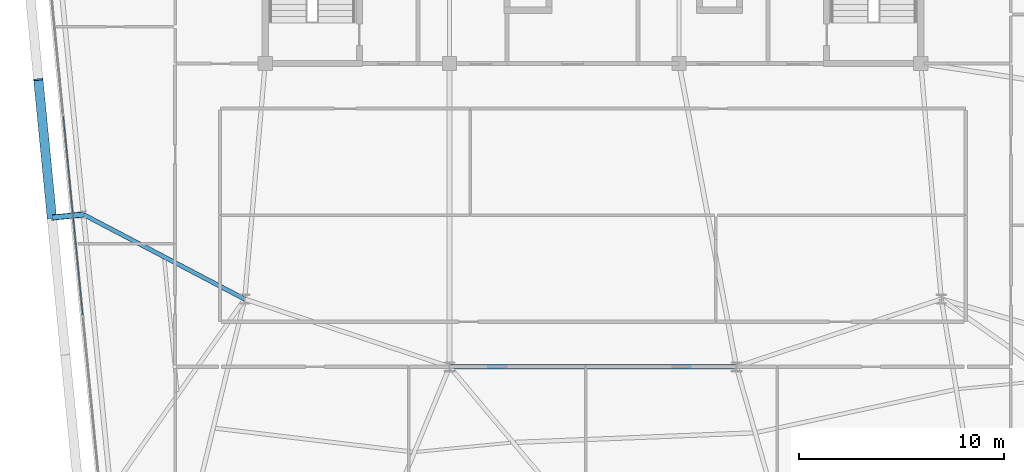
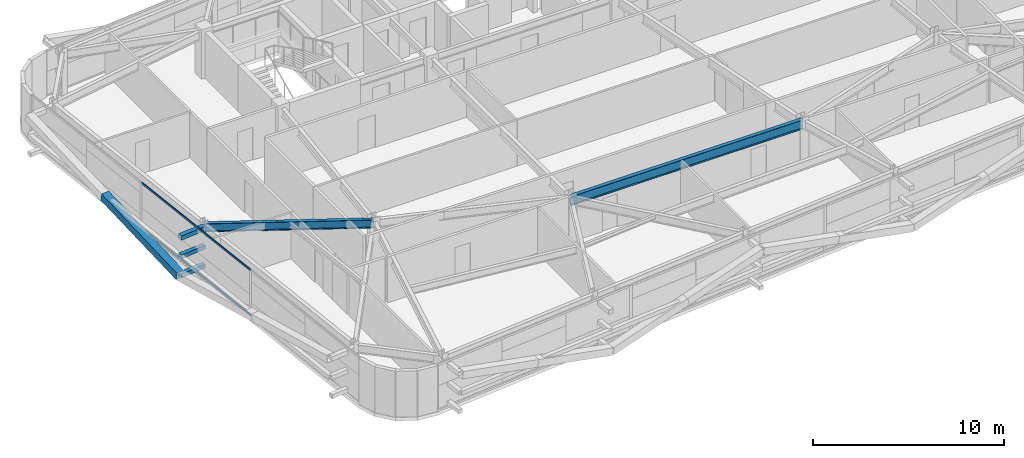
# One storey, part 12 of 47: 6 members, 2 beams, 1 element without a shape of its own.
"""IFC4 building model written with IfcOpenShell, lengths in metres."""

from ifc_helpers import new_model, si_unit, direction, frame, origin, origin_2d, place, context, subcontext, project, spatial, hollow_rectangle, i_section, extrude, source, transform, mapped, material, layer, layer_set, material_profile, profile_set, type_object, element, aggregate, save


model = new_model("IFC4")

# Units and contexts
model_context = context("Model", 3, precision=1e-05, world=origin(), true_north=direction((0.0, 1.0)))
body_context = subcontext(model_context, "Body", "Model", "MODEL_VIEW")
ifc_project = project(units=[si_unit("LENGTHUNIT", "METRE"), si_unit("AREAUNIT", "SQUARE_METRE"), si_unit("VOLUMEUNIT", "CUBIC_METRE"), si_unit("PLANEANGLEUNIT", "RADIAN"), si_unit("MASSUNIT", "GRAM", prefix="KILO")], contexts=[model_context])

# Site, building, storey
site_placement = place(None, origin())
site = spatial("IfcSite", under=ifc_project, at=site_placement, CompositionType="ELEMENT")
building_placement = place(site_placement, origin())
building = spatial("IfcBuilding", under=site, at=building_placement, Name="Taldren Reach Tower", CompositionType="ELEMENT")
storey_placement = place(building_placement, frame((0.0, 0.0, 90.300048828125)))
storey = spatial("IfcBuildingStorey", under=building, at=storey_placement, Name="L27", CompositionType="ELEMENT", Elevation=90.300048828125)

# Beams
ifc_material_1 = material(Name="Steel Gr 350 (350PLUS)", Category="steel")
ifc_material_profile_1 = material_profile(ifc_material_1, i_section(OverallWidth=0.22802734375, OverallDepth=0.60205078125, WebThickness=0.010498046875, FlangeThickness=0.014892578125, at=origin_2d()), Name="610UB101")
ifc_profile_set_1 = profile_set([ifc_material_profile_1], Name="Steel Gr 350 (350PLUS)")
beam_type_1 = type_object("IfcBeamType", Name="BM-UB610B", PredefinedType="BEAM", material=ifc_profile_set_1)
shared_shape_1 = source(origin(), body_context, "Body", "SweptSolid", [
    extrude(i_section(OverallWidth=0.22802734375, OverallDepth=0.60205078125, WebThickness=0.010498046875, FlangeThickness=0.014892578125, at=origin_2d()), origin(), (0.0, 0.0, 1.0), 14.0),
])
beam_1_placement = place(storey_placement, frame((28.0, 9.199951171875, 2.62890625), z_axis=(1.0, 0.0, 0.0), x_axis=(0.0, 1.0, 0.0)))
element("IfcBeam", 1, at=beam_1_placement, inside=storey, type_object=beam_type_1, Name="Core-spine girder L27-SP11", PredefinedType="BEAM", context=body_context, shape_type="MappedRepresentation", body=[
    mapped(shared_shape_1, transform((0.0, 0.0, 0.0), scale=1.0)),
])
ifc_material_profile_2 = material_profile(ifc_material_1, i_section(OverallWidth=0.208984375, OverallDepth=0.532958984375, WebThickness=0.01025390625, FlangeThickness=0.015625, at=origin_2d()), Name="530UB92.4")
ifc_profile_set_2 = profile_set([ifc_material_profile_2], Name="Steel Gr 350 (350PLUS)")
beam_type_2 = type_object("IfcBeamType", Name="BM-UB530A", PredefinedType="BEAM", material=ifc_profile_set_2)
shared_shape_2 = source(origin(), body_context, "Body", "SweptSolid", [
    extrude(i_section(OverallWidth=0.208984375, OverallDepth=0.532958984375, WebThickness=0.01025390625, FlangeThickness=0.015625, at=origin_2d()), origin(), (0.0, 0.0, 1.0), 8.8876953125),
])
beam_2_placement = place(storey_placement, frame((18.0, 12.5, 2.663330078125), z_axis=(-0.885412881876, 0.464805366371, 0.0), x_axis=(-0.464805366371, -0.885412881876, 0.0)))
element("IfcBeam", 2, at=beam_2_placement, inside=storey, type_object=beam_type_2, Name="Primary floor girder B2-W2 L27", PredefinedType="BEAM", context=body_context, shape_type="MappedRepresentation", body=[
    mapped(shared_shape_2, transform((0.0, 0.0, 0.0), scale=1.0)),
])

# Members
ifc_material_2 = material(Name="Steel Gr 450 (C450L0)", Category="steel")
ifc_material_profile_3 = material_profile(ifc_material_2, hollow_rectangle(XDim=0.27490234375, YDim=0.27490234375, WallThickness=0.00927734375, at=origin_2d()), Name="275x275x9.3SHS")
ifc_profile_set_3 = profile_set([ifc_material_profile_3], Name="Steel Gr 450 (C450L0)")
member_type_1 = type_object("IfcMemberType", Name="MB-TIE273", PredefinedType="STRUT", material=ifc_profile_set_3)
shared_shape_3 = source(origin(), body_context, "Body", "SweptSolid", [
    extrude(hollow_rectangle(XDim=0.27490234375, YDim=0.27490234375, WallThickness=0.00927734375, at=origin_2d()), origin(), (0.0, 0.0, 1.0), 1.550048828125),
])
member_1_placement = place(storey_placement, frame((10.130615234375, 16.631103515625, 2.64990234375), z_axis=(-0.9952210252, -0.097647892962, 0.0), x_axis=(0.097647892962, -0.9952210252, 0.0)))
element("IfcMember", 3, at=member_1_placement, inside=storey, type_object=member_type_1, Name="Exoskeleton diaphragm tie strut B2-W2 L27", PredefinedType="STRUT", context=body_context, shape_type="MappedRepresentation", body=[
    mapped(shared_shape_3, transform((0.0, 0.0, 0.0), scale=1.0)),
])
ifc_material_3 = material(Name="Steel Gr 350 (C350L0)", Category="steel")
ifc_material_profile_4 = material_profile(ifc_material_3, hollow_rectangle(XDim=0.25, YDim=0.25, WallThickness=0.010009765625, at=origin_2d()), Name="250x250x10.0SHS")
ifc_profile_set_4 = profile_set([ifc_material_profile_4], Name="Steel Gr 350 (C350L0)")
member_type_2 = type_object("IfcMemberType", Name="MB-POST250", PredefinedType="POST", material=ifc_profile_set_4)
shared_shape_4 = source(origin(), body_context, "Body", "SweptSolid", [
    extrude(hollow_rectangle(XDim=0.25, YDim=0.25, WallThickness=0.010009765625, at=origin_2d()), origin(), (0.0, 0.0, 1.0), 1.550048828125),
])
for number, where, z_axis, x_axis, name in (
    (4, (10.130615234375, 16.631103515625, 0.219970703125), (-0.9952210252, -0.097647892962, 0.0), (0.097647892962, -0.9952210252, 0.0), "Exoskeleton base diaphragm tie strut B2-W2 L27"),
    (5, (10.130615234375, 16.631103515625, 1.43505859375), (-0.9952210252, -0.097647892962, 0.0), (0.097647892962, -0.9952210252, 0.0), "Exoskeleton mid-tier diaphragm tie B2-W2 L27"),
):
    element("IfcMember", number, at=place(storey_placement, frame(where, z_axis=z_axis, x_axis=x_axis)), inside=storey, type_object=member_type_2, Name=name, PredefinedType="POST", context=body_context, shape_type="MappedRepresentation", body=[
        mapped(shared_shape_4, transform((0.0, 0.0, 0.0), scale=1.0)),
    ])
ifc_material_profile_5 = material_profile(ifc_material_2, hollow_rectangle(XDim=0.4599609375, YDim=0.4599609375, WallThickness=0.01611328125, at=origin_2d()), Name="460x460x16.0SHS")
ifc_profile_set_5 = profile_set([ifc_material_profile_5], Name="Steel Gr 450 (C450L0)")
member_type_3 = type_object("IfcMemberType", Name="MB-EXO457", PredefinedType="BRACE", material=ifc_profile_set_5)
shared_shape_5 = source(origin(), body_context, "Body", "SweptSolid", [
    extrude(hollow_rectangle(XDim=0.4599609375, YDim=0.4599609375, WallThickness=0.01611328125, at=origin_2d()), origin(), (0.0, 0.0, 1.0), 6.883056640625),
])
member_2_placement = place(storey_placement, frame((8.587890625, 16.479736328125, 0.219970703125), z_axis=(-0.09605145821, 0.97959718347, 0.176531797456), x_axis=(-0.995227290009, -0.097584021339, 0.0)))
element("IfcMember", 6, at=member_2_placement, inside=storey, type_object=member_type_3, Name="Exoskeleton Diagrid Brace B2-W2 L27", PredefinedType="BRACE", context=body_context, shape_type="MappedRepresentation", body=[
    mapped(shared_shape_5, transform((0.0, 0.0, 0.0), scale=1.0)),
])

# Curtain wall, members
ifc_material_4 = material(Name="Aluminium and Low-E Glass Unitised System", Category="aluminium")
ifc_layer = layer(ifc_material_4, 0.159912109375)
ifc_layer_set = layer_set([ifc_layer], Name="Aluminium and Low-E Glass Unitised System")
curtain_wall_type = type_object("IfcCurtainWallType", Name="CW-SYS-3", PredefinedType="NOTDEFINED", material=ifc_layer_set)
curtain_wall_placement = place(storey_placement, origin())
curtain_wall = element("IfcCurtainWall", 7, at=curtain_wall_placement, inside=storey, type_object=curtain_wall_type, Name="Unitised curtain wall CW-L27-W", PredefinedType="NOTDEFINED")
ifc_material_5 = material(Name="Anodised Aluminium 6063-T6", Category="aluminium")
ifc_material_profile_6 = material_profile(ifc_material_5, hollow_rectangle(XDim=0.054931640625, YDim=0.1201171875, WallThickness=0.0029296875, at=origin_2d()), Name="ALU-120x55x3RHS")
ifc_profile_set_6 = profile_set([ifc_material_profile_6], Name="Anodised Aluminium 6063-T6")
member_type_4 = type_object("IfcMemberType", Name="CW-TRN-135", PredefinedType="USERDEFINED", material=ifc_profile_set_6)
shared_shape_6 = source(origin(), body_context, "Body", "SweptSolid", [
    extrude(hollow_rectangle(XDim=0.054931640625, YDim=0.1201171875, WallThickness=0.0029296875, at=origin_2d()), origin(), (0.0, 0.0, 1.0), 9.768310546875),
])
member_3_placement = place(storey_placement, frame((9.146240234375, 21.442138671875, 0.02734375), z_axis=(0.097598120756, -0.995225907432, 0.0), x_axis=(0.995225907432, 0.097598120756, 0.0)))
member_3 = element("IfcMember", 8, at=member_3_placement, type_object=member_type_4, Name="CW-3 transom 2.1", ObjectType="TRANSOM", PredefinedType="USERDEFINED", context=body_context, shape_type="MappedRepresentation", body=[
    mapped(shared_shape_6, transform((0.0, 0.0, 0.0), scale=1.0)),
])
member_4_placement = place(storey_placement, frame((9.146240234375, 21.442138671875, 2.90234375), z_axis=(0.097598120756, -0.995225907432, 0.0), x_axis=(0.995225907432, 0.097598120756, 0.0)))
member_4 = element("IfcMember", 9, at=member_4_placement, type_object=member_type_4, Name="CW-3 transom 2.2", ObjectType="TRANSOM", PredefinedType="USERDEFINED", context=body_context, shape_type="MappedRepresentation", body=[
    mapped(shared_shape_6, transform((0.0, 0.0, 0.0), scale=1.0)),
])
aggregate(curtain_wall, [member_3, member_4])

save(model, "model.ifc")
